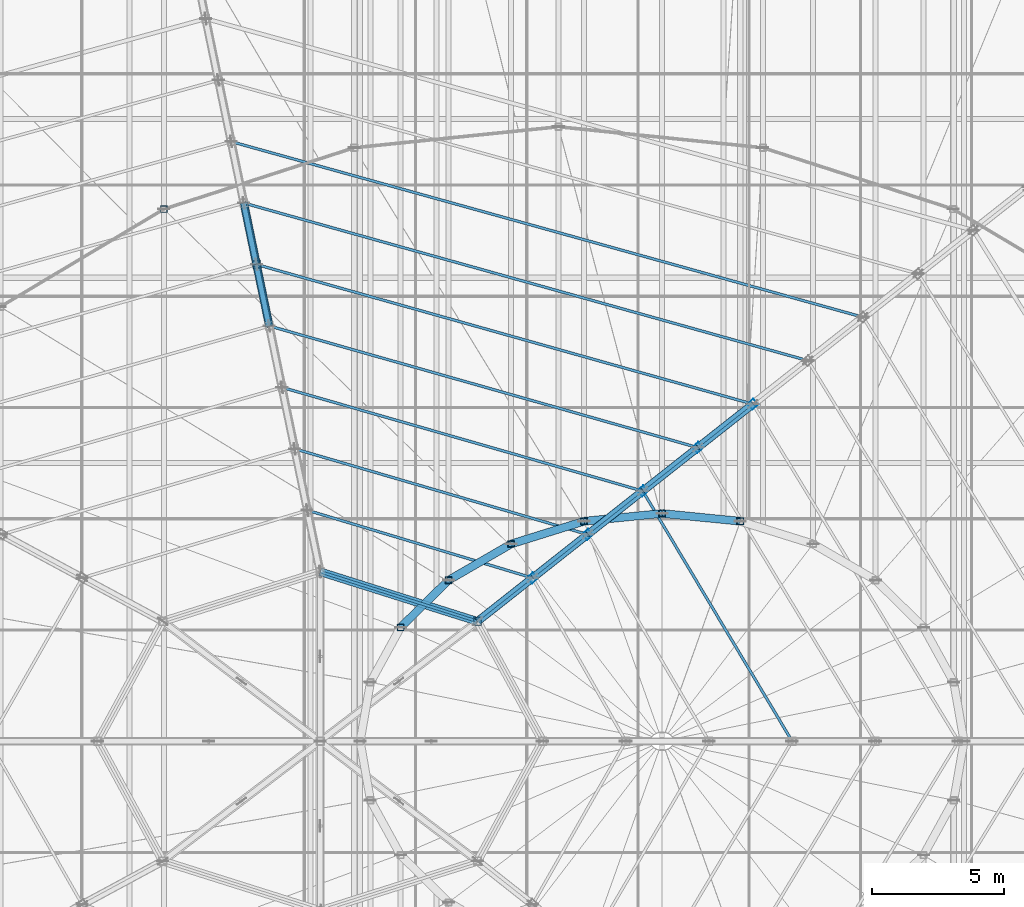
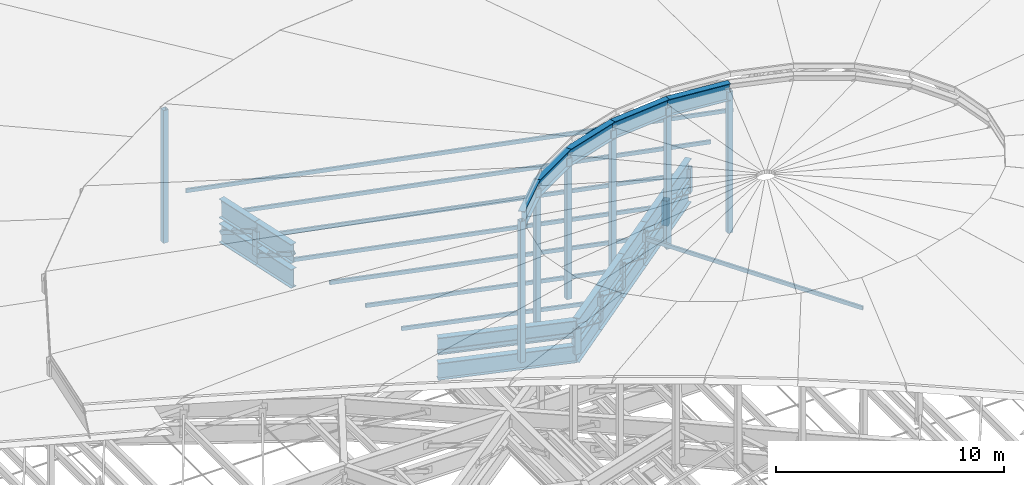
# One storey, part 110 of 184: 30 members, 21 beams.
"""IFC4 building model written with IfcOpenShell, lengths in metres."""

from ifc_helpers import new_model, si_unit, direction, frame, origin, origin_2d, place, context, subcontext, project, spatial, hollow_rectangle, i_section, extrude, material, material_profile, profile_set, type_object, element, save


model = new_model("IFC4")

# Units and contexts
model_context = context("Model", 3, precision=1e-05, world=origin(), true_north=direction((0.0, 1.0)))
body_context = subcontext(model_context, "Body", "Model", "MODEL_VIEW")
ifc_project = project(units=[si_unit("LENGTHUNIT", "METRE"), si_unit("AREAUNIT", "SQUARE_METRE"), si_unit("VOLUMEUNIT", "CUBIC_METRE"), si_unit("PLANEANGLEUNIT", "RADIAN"), si_unit("MASSUNIT", "GRAM", prefix="KILO")], contexts=[model_context])

# Site, building, storey
site_placement = place(None, origin())
site = spatial("IfcSite", under=ifc_project, at=site_placement, CompositionType="ELEMENT")
building_placement = place(site_placement, origin())
building = spatial("IfcBuilding", under=site, at=building_placement, Name="Kalgoora Escarpment Arena", CompositionType="ELEMENT")
storey_placement = place(building_placement, frame((0.0, 0.0, 27.60009765625)))
storey = spatial("IfcBuildingStorey", under=building, at=storey_placement, Name="Roof Level", CompositionType="ELEMENT", Elevation=27.60009765625)

# Beams
ifc_material_1 = material(Name="Structural steel Grade 350 (350 MPa)", Category="steel")
ifc_material_profile_1 = material_profile(ifc_material_1, i_section(OverallWidth=0.300048828125, OverallDepth=0.909912109375, WebThickness=0.011962890625, FlangeThickness=0.028076171875, at=origin_2d()))
ifc_profile_set_1 = profile_set([ifc_material_profile_1], Name="Structural steel Grade 350 (350 MPa)")
beam_type_1 = type_object("IfcBeamType", Name="BM-HUB-RING", PredefinedType="USERDEFINED", material=ifc_profile_set_1)
for number, where, z_axis, x_axis, name in (
    (1, (103.1396484375, 68.525390625, -1.60009765625), (-0.953637150893, 0.300958775312, 0.0), (-0.300958775312, -0.953637150893, 0.0), "Central ROOF TRUSS hub bottom ring 2"),
    (2, (103.1396484375, 68.525390625, -0.25), (-0.953637150893, 0.300958775312, 0.0), (-0.300958775312, -0.953637150893, 0.0), "Central ROOF TRUSS hub top ring 2"),
):
    element("IfcBeam", number, at=place(storey_placement, frame(where, z_axis=z_axis, x_axis=x_axis)), inside=storey, type_object=beam_type_1, Name=name, ObjectType="GIRDER", PredefinedType="USERDEFINED", context=body_context, shape_type="SweptSolid", body=[
        extrude(i_section(OverallWidth=0.300048828125, OverallDepth=0.909912109375, WebThickness=0.011962890625, FlangeThickness=0.028076171875, at=origin_2d()), origin(), (0.0, 0.0, 1.0), 6.228515625),
    ])
beam_1_placement = place(storey_placement, frame((113.060546875, 72.306884765625, 6.64990234375), z_axis=(-0.995098147091, 0.098892252764, 0.0), x_axis=(-0.098892252764, -0.995098147091, 0.0)))
element("IfcBeam", 3, at=beam_1_placement, inside=storey, type_object=beam_type_1, Name="Crown oculus tension RING BEAM chord 06", ObjectType="GIRDER", PredefinedType="USERDEFINED", context=body_context, shape_type="SweptSolid", body=[
    extrude(i_section(OverallWidth=0.300048828125, OverallDepth=0.909912109375, WebThickness=0.011962890625, FlangeThickness=0.028076171875, at=origin_2d()), origin(), (0.0, 0.0, 1.0), 2.965087890625),
])
beam_2_placement = place(storey_placement, frame((110.110107421875, 72.60009765625, 6.64990234375), z_axis=(-0.995098952266, -0.098884150395, 0.0), x_axis=(0.098884150395, -0.995098952266, 0.0)))
element("IfcBeam", 4, at=beam_2_placement, inside=storey, type_object=beam_type_1, Name="Crown oculus tension RING BEAM chord 07", ObjectType="GIRDER", PredefinedType="USERDEFINED", context=body_context, shape_type="SweptSolid", body=[
    extrude(i_section(OverallWidth=0.300048828125, OverallDepth=0.909912109375, WebThickness=0.011962890625, FlangeThickness=0.028076171875, at=origin_2d()), origin(), (0.0, 0.0, 1.0), 2.96533203125),
])
beam_3_placement = place(storey_placement, frame((107.159423828125, 72.306884765625, 6.64990234375), z_axis=(-0.954489025966, -0.298246038215, 0.0), x_axis=(0.298246038215, -0.954489025966, 0.0)))
element("IfcBeam", 5, at=beam_3_placement, inside=storey, type_object=beam_type_1, Name="Crown oculus tension RING BEAM chord 08", ObjectType="GIRDER", PredefinedType="USERDEFINED", context=body_context, shape_type="SweptSolid", body=[
    extrude(i_section(OverallWidth=0.300048828125, OverallDepth=0.909912109375, WebThickness=0.011962890625, FlangeThickness=0.028076171875, at=origin_2d()), origin(), (0.0, 0.0, 1.0), 2.880615234375),
])
beam_4_placement = place(storey_placement, frame((104.409912109375, 71.44775390625, 6.64990234375), z_axis=(-0.865442624847, -0.501008046939, 0.0), x_axis=(0.501008046939, -0.865442624847, 0.0)))
element("IfcBeam", 6, at=beam_4_placement, inside=storey, type_object=beam_type_1, Name="Crown oculus tension RING BEAM chord 09", ObjectType="GIRDER", PredefinedType="USERDEFINED", context=body_context, shape_type="SweptSolid", body=[
    extrude(i_section(OverallWidth=0.300048828125, OverallDepth=0.909912109375, WebThickness=0.011962890625, FlangeThickness=0.028076171875, at=origin_2d()), origin(), (0.0, 0.0, 1.0), 2.727783203125),
])
beam_5_placement = place(storey_placement, frame((102.049072265625, 70.0810546875, 6.64990234375), z_axis=(-0.71313496733, -0.701026760096, 0.0), x_axis=(0.701026760096, -0.71313496733, 0.0)))
element("IfcBeam", 7, at=beam_5_placement, inside=storey, type_object=beam_type_1, Name="Crown oculus tension RING BEAM chord 10", ObjectType="GIRDER", PredefinedType="USERDEFINED", context=body_context, shape_type="SweptSolid", body=[
    extrude(i_section(OverallWidth=0.300048828125, OverallDepth=0.909912109375, WebThickness=0.011962890625, FlangeThickness=0.028076171875, at=origin_2d()), origin(), (0.0, 0.0, 1.0), 2.54052734375),
])
ifc_material_2 = material(Name="Structural steel Grade 350 (350 MPa)", Category="steel")
ifc_material_profile_2 = material_profile(ifc_material_2, i_section(OverallWidth=0.300048828125, OverallDepth=1.010009765625, WebThickness=0.01611328125, FlangeThickness=0.030029296875, at=origin_2d()))
ifc_profile_set_2 = profile_set([ifc_material_profile_2], Name="Structural steel Grade 350 (350 MPa)")
beam_type_2 = type_object("IfcBeamType", Name="BM-TRUSS-CHORD", PredefinedType="USERDEFINED", material=ifc_profile_set_2)
for number, where, z_axis, x_axis, name in (
    (8, (113.5478515625, 76.7353515625, -1.625), (-0.785161943142, -0.619287805317, 0.001826807685), (0.619288838671, -0.785163253277, 0.0), "Radial ROOF TRUSS spine 2 bottom chord 7"),
    (9, (113.5478515625, 76.7353515625, -0.300048828125), (-0.78515774748, -0.619284496035, 0.003744935743), (0.619288838671, -0.785163253277, 0.0), "Radial ROOF TRUSS spine 2 top chord 7"),
    (10, (111.468017578125, 75.094970703125, -1.6201171875), (-0.785161808854, -0.619287699399, 0.001918147741), (0.619288838671, -0.785163253277, 0.0), "Radial ROOF TRUSS spine 2 bottom chord 8"),
    (11, (111.468017578125, 75.094970703125, -0.2900390625), (-0.78515774748, -0.619284496035, 0.003744935743), (0.619288838671, -0.785163253277, 0.0), "Radial ROOF TRUSS spine 2 top chord 8"),
):
    element("IfcBeam", number, at=place(storey_placement, frame(where, z_axis=z_axis, x_axis=x_axis)), inside=storey, type_object=beam_type_2, Name=name, ObjectType="GIRDER", PredefinedType="USERDEFINED", context=body_context, shape_type="SweptSolid", body=[
        extrude(i_section(OverallWidth=0.300048828125, OverallDepth=1.010009765625, WebThickness=0.01611328125, FlangeThickness=0.030029296875, at=origin_2d()), origin(), (0.0, 0.0, 1.0), 2.6728515625),
    ])
for number, where, z_axis, x_axis, name in (
    (12, (109.38818359375, 73.454345703125, -1.614990234375), (-0.785126908443, -0.619332220971, 0.001826938705), (0.619333254548, -0.785128218708, 0.0), "Radial ROOF TRUSS spine 2 bottom chord 9"),
    (13, (109.38818359375, 73.454345703125, -0.280029296875), (-0.785122712366, -0.619328910976, 0.003745204329), (0.619333254548, -0.785128218708, 0.0), "Radial ROOF TRUSS spine 2 top chord 9"),
):
    element("IfcBeam", number, at=place(storey_placement, frame(where, z_axis=z_axis, x_axis=x_axis)), inside=storey, type_object=beam_type_2, Name=name, ObjectType="GIRDER", PredefinedType="USERDEFINED", context=body_context, shape_type="SweptSolid", body=[
        extrude(i_section(OverallWidth=0.300048828125, OverallDepth=1.010009765625, WebThickness=0.01611328125, FlangeThickness=0.030029296875, at=origin_2d()), origin(), (0.0, 0.0, 1.0), 2.672607421875),
    ])
for number, where, z_axis, x_axis, name in (
    (14, (107.30859375, 71.81396484375, -1.610107421875), (-0.785161808854, -0.619287699399, 0.001918147741), (0.619288838671, -0.785163253277, 0.0), "Radial ROOF TRUSS spine 2 bottom chord 10"),
    (15, (107.30859375, 71.81396484375, -0.27001953125), (-0.78515774748, -0.619284496035, 0.003744935743), (0.619288838671, -0.785163253277, 0.0), "Radial ROOF TRUSS spine 2 top chord 10"),
):
    element("IfcBeam", number, at=place(storey_placement, frame(where, z_axis=z_axis, x_axis=x_axis)), inside=storey, type_object=beam_type_2, Name=name, ObjectType="GIRDER", PredefinedType="USERDEFINED", context=body_context, shape_type="SweptSolid", body=[
        extrude(i_section(OverallWidth=0.300048828125, OverallDepth=1.010009765625, WebThickness=0.01611328125, FlangeThickness=0.030029296875, at=origin_2d()), origin(), (0.0, 0.0, 1.0), 2.6728515625),
    ])
for number, where, z_axis, x_axis, name in (
    (16, (105.228759765625, 70.17333984375, -1.60498046875), (-0.785126908443, -0.619332220971, 0.001826938705), (0.619333254548, -0.785128218708, 0.0), "Radial ROOF TRUSS spine 2 bottom chord 11"),
    (17, (105.228759765625, 70.17333984375, -0.260009765625), (-0.785122712366, -0.619328910976, 0.003745204329), (0.619333254548, -0.785128218708, 0.0), "Radial ROOF TRUSS spine 2 top chord 11"),
):
    element("IfcBeam", number, at=place(storey_placement, frame(where, z_axis=z_axis, x_axis=x_axis)), inside=storey, type_object=beam_type_2, Name=name, ObjectType="GIRDER", PredefinedType="USERDEFINED", context=body_context, shape_type="SweptSolid", body=[
        extrude(i_section(OverallWidth=0.300048828125, OverallDepth=1.010009765625, WebThickness=0.01611328125, FlangeThickness=0.030029296875, at=origin_2d()), origin(), (0.0, 0.0, 1.0), 2.672607421875),
    ])
for number, where, z_axis, x_axis, name in (
    (18, (94.317626953125, 84.331787109375, -1.630126953125), (0.202605139089, -0.979258172266, 0.002142350413), (0.979260419507, 0.202605604036, 0.0), "Radial ROOF TRUSS spine 3 bottom chord 6"),
    (19, (94.317626953125, 84.331787109375, -0.31005859375), (0.202603831774, -0.979251853575, 0.004182657151), (0.979260419507, 0.202605604036, 0.0), "Radial ROOF TRUSS spine 3 top chord 6"),
    (20, (94.797607421875, 82.01171875, -1.625), (0.202605182316, -0.979258381192, 0.002040334162), (0.979260419507, 0.202605604036, 0.0), "Radial ROOF TRUSS spine 3 bottom chord 7"),
    (21, (94.797607421875, 82.01171875, -0.300048828125), (0.202603831774, -0.979251853575, 0.004182657151), (0.979260419507, 0.202605604036, 0.0), "Radial ROOF TRUSS spine 3 top chord 7"),
):
    element("IfcBeam", number, at=place(storey_placement, frame(where, z_axis=z_axis, x_axis=x_axis)), inside=storey, type_object=beam_type_2, Name=name, ObjectType="GIRDER", PredefinedType="USERDEFINED", context=body_context, shape_type="SweptSolid", body=[
        extrude(i_section(OverallWidth=0.300048828125, OverallDepth=1.010009765625, WebThickness=0.01611328125, FlangeThickness=0.030029296875, at=origin_2d()), origin(), (0.0, 0.0, 1.0), 2.39306640625),
    ])

# Members
ifc_material_3 = material(Name="Structural steel C450 (450 MPa)", Category="steel")
ifc_material_profile_3 = material_profile(ifc_material_3, hollow_rectangle(XDim=0.25, YDim=0.25, WallThickness=0.012451171875, at=origin_2d()))
ifc_profile_set_3 = profile_set([ifc_material_profile_3], Name="Structural steel C450 (450 MPa)")
member_type_1 = type_object("IfcMemberType", Name="MEM-PETAL-POST", PredefinedType="POST", material=ifc_profile_set_3)
member_1_placement = place(storey_placement, frame((91.300048828125, 84.091796875, -0.960205078125), z_axis=(0.0, 0.0, 1.0), x_axis=(1.0, 0.0, 0.0)))
element("IfcMember", 22, at=member_1_placement, inside=storey, type_object=member_type_1, Name="Petal RP4 vertical support post S09", PredefinedType="POST", context=body_context, shape_type="SweptSolid", body=[
    extrude(hollow_rectangle(XDim=0.25, YDim=0.25, WallThickness=0.012451171875, at=origin_2d()), origin(), (0.0, 0.0, 1.0), 7.105224609375),
])
for number, where, z_axis, x_axis, name in (
    (23, (113.060546875, 72.306884765625, -0.900146484375), (0.0, 0.0, 1.0), (1.0, 0.0, 0.0), "Crown dome vertical post 06"),
    (24, (110.110107421875, 72.60009765625, -0.900146484375), (0.0, 0.0, 1.0), (1.0, 0.0, 0.0), "Crown dome vertical post 07"),
    (25, (107.159423828125, 72.306884765625, -0.900146484375), (0.0, 0.0, 1.0), (1.0, 0.0, 0.0), "Crown dome vertical post 08"),
    (26, (104.409912109375, 71.44775390625, -0.900146484375), (0.0, 0.0, 1.0), (1.0, 0.0, 0.0), "Crown dome vertical post 09"),
    (27, (102.049072265625, 70.0810546875, -0.900146484375), (0.0, 0.0, 1.0), (1.0, 0.0, 0.0), "Crown dome vertical post 10"),
    (28, (100.2373046875, 68.300048828125, -0.900146484375), (0.0, 0.0, 1.0), (1.0, 0.0, 0.0), "Crown dome vertical post 11"),
):
    element("IfcMember", number, at=place(storey_placement, frame(where, z_axis=z_axis, x_axis=x_axis)), inside=storey, type_object=member_type_1, Name=name, PredefinedType="POST", context=body_context, shape_type="SweptSolid", body=[
        extrude(hollow_rectangle(XDim=0.25, YDim=0.25, WallThickness=0.012451171875, at=origin_2d()), origin(), (0.0, 0.0, 1.0), 7.550048828125),
    ])
ifc_material_4 = material(Name="Structural steel C350 (350 MPa)", Category="steel")
ifc_material_profile_4 = material_profile(ifc_material_4, hollow_rectangle(XDim=0.10009765625, YDim=0.199951171875, WallThickness=0.009033203125, at=origin_2d()))
ifc_profile_set_4 = profile_set([ifc_material_profile_4], Name="Structural steel C350 (350 MPa)")
member_type_2 = type_object("IfcMemberType", Name="MEM-PURLIN-RHS", PredefinedType="PURLIN", material=ifc_profile_set_4)
member_2_placement = place(storey_placement, frame((117.69775390625, 80.0087890625, -0.670166015625), z_axis=(-0.963476510969, 0.267792854294, 0.0), x_axis=(-0.267792854294, -0.963476510969, 0.0)))
element("IfcMember", 29, at=member_2_placement, inside=storey, type_object=member_type_2, Name="Roof circumferential purlin ring 4 sector 2", PredefinedType="PURLIN", context=body_context, shape_type="SweptSolid", body=[
    extrude(hollow_rectangle(XDim=0.10009765625, YDim=0.199951171875, WallThickness=0.009033203125, at=origin_2d()), origin(), (0.0, 0.0, 1.0), 24.761962890625),
])
member_3_placement = place(storey_placement, frame((115.6181640625, 78.368408203125, -0.66015625), z_axis=(-0.963102515749, 0.269134806664, 0.0), x_axis=(-0.269134806664, -0.963102515749, 0.0)))
element("IfcMember", 30, at=member_3_placement, inside=storey, type_object=member_type_2, Name="Roof circumferential purlin ring 5 sector 2", PredefinedType="PURLIN", context=body_context, shape_type="SweptSolid", body=[
    extrude(hollow_rectangle(XDim=0.10009765625, YDim=0.199951171875, WallThickness=0.009033203125, at=origin_2d()), origin(), (0.0, 0.0, 1.0), 22.114013671875),
])
member_4_placement = place(storey_placement, frame((113.538330078125, 76.727783203125, -0.650146484375), z_axis=(-0.962623149743, 0.270844367817, 0.0), x_axis=(-0.270844367817, -0.962623149743, 0.0)))
element("IfcMember", 31, at=member_4_placement, inside=storey, type_object=member_type_2, Name="Roof circumferential purlin ring 6 sector 2", PredefinedType="PURLIN", context=body_context, shape_type="SweptSolid", body=[
    extrude(hollow_rectangle(XDim=0.10009765625, YDim=0.199951171875, WallThickness=0.009033203125, at=origin_2d()), origin(), (0.0, 0.0, 1.0), 19.4658203125),
])
member_5_placement = place(storey_placement, frame((111.45849609375, 75.08740234375, -0.64013671875), z_axis=(-0.961992015011, 0.27307757699, 0.0), x_axis=(-0.27307757699, -0.961992015011, 0.0)))
element("IfcMember", 32, at=member_5_placement, inside=storey, type_object=member_type_2, Name="Roof circumferential purlin ring 7 sector 2", PredefinedType="PURLIN", context=body_context, shape_type="SweptSolid", body=[
    extrude(hollow_rectangle(XDim=0.10009765625, YDim=0.199951171875, WallThickness=0.009033203125, at=origin_2d()), origin(), (0.0, 0.0, 1.0), 16.817626953125),
])
member_6_placement = place(storey_placement, frame((115.02001953125, 64.0, -0.630126953125), z_axis=(-0.51268364842, 0.85857758918, 0.0), x_axis=(-0.85857758918, -0.51268364842, 0.0)))
element("IfcMember", 33, at=member_6_placement, inside=storey, type_object=member_type_2, Name="Roof circumferential purlin ring 8 sector 1", PredefinedType="PURLIN", context=body_context, shape_type="SweptSolid", body=[
    extrude(hollow_rectangle(XDim=0.10009765625, YDim=0.199951171875, WallThickness=0.009033203125, at=origin_2d()), origin(), (0.0, 0.0, 1.0), 11.003173828125),
])
member_7_placement = place(storey_placement, frame((109.37890625, 73.447021484375, -0.630126953125), z_axis=(-0.961113271866, 0.27615444708, 0.0), x_axis=(-0.27615444708, -0.961113271866, 0.0)))
element("IfcMember", 34, at=member_7_placement, inside=storey, type_object=member_type_2, Name="Roof circumferential purlin ring 8 sector 2", PredefinedType="PURLIN", context=body_context, shape_type="SweptSolid", body=[
    extrude(hollow_rectangle(XDim=0.10009765625, YDim=0.199951171875, WallThickness=0.009033203125, at=origin_2d()), origin(), (0.0, 0.0, 1.0), 14.169921875),
])
member_8_placement = place(storey_placement, frame((107.29931640625, 71.806396484375, -0.6201171875), z_axis=(-0.959813023473, 0.280640267907, 0.0), x_axis=(-0.280640267907, -0.959813023473, 0.0)))
element("IfcMember", 35, at=member_8_placement, inside=storey, type_object=member_type_2, Name="Roof circumferential purlin ring 9 sector 2", PredefinedType="PURLIN", context=body_context, shape_type="SweptSolid", body=[
    extrude(hollow_rectangle(XDim=0.10009765625, YDim=0.199951171875, WallThickness=0.009033203125, at=origin_2d()), origin(), (0.0, 0.0, 1.0), 11.5224609375),
])
member_9_placement = place(storey_placement, frame((105.219482421875, 70.166015625, -0.610107421875), z_axis=(-0.957698993712, 0.287771849636, 0.0), x_axis=(-0.287771849636, -0.957698993712, 0.0)))
element("IfcMember", 36, at=member_9_placement, inside=storey, type_object=member_type_2, Name="Roof circumferential purlin ring 10 sector 2", PredefinedType="PURLIN", context=body_context, shape_type="SweptSolid", body=[
    extrude(hollow_rectangle(XDim=0.10009765625, YDim=0.199951171875, WallThickness=0.009033203125, at=origin_2d()), origin(), (0.0, 0.0, 1.0), 8.875),
])
member_10_placement = place(storey_placement, frame((103.1396484375, 68.525390625, -0.60009765625), z_axis=(-0.953637150893, 0.300958775312, 0.0), x_axis=(-0.300958775312, -0.953637150893, 0.0)))
element("IfcMember", 37, at=member_10_placement, inside=storey, type_object=member_type_2, Name="Roof circumferential purlin ring 11 sector 2", PredefinedType="PURLIN", context=body_context, shape_type="SweptSolid", body=[
    extrude(hollow_rectangle(XDim=0.10009765625, YDim=0.199951171875, WallThickness=0.009033203125, at=origin_2d()), origin(), (0.0, 0.0, 1.0), 6.228515625),
])
ifc_material_5 = material(Name="Structural steel C350 (350 MPa)", Category="steel")
ifc_material_profile_5 = material_profile(ifc_material_5, hollow_rectangle(XDim=0.199951171875, YDim=0.199951171875, WallThickness=0.009033203125, at=origin_2d()))
ifc_profile_set_5 = profile_set([ifc_material_profile_5], Name="Structural steel C350 (350 MPa)")
member_type_3 = type_object("IfcMemberType", Name="MEM-TRUSS-DIAG", PredefinedType="BRACE", material=ifc_profile_set_5)
member_11_placement = place(storey_placement, frame((113.538330078125, 76.727783203125, -1.625), z_axis=(-0.701164503492, -0.5530137691, 0.450049008697), x_axis=(-0.699492417174, 0.411251820483, -0.584450424302)))
element("IfcMember", 38, at=member_11_placement, inside=storey, type_object=member_type_3, Name="Radial ROOF TRUSS spine 2 web diagonal 7", PredefinedType="BRACE", context=body_context, shape_type="SweptSolid", body=[
    extrude(hollow_rectangle(XDim=0.199951171875, YDim=0.199951171875, WallThickness=0.009033203125, at=origin_2d()), origin(), (0.0, 0.0, 1.0), 2.96630859375),
])
member_12_placement = place(storey_placement, frame((111.45849609375, 75.08740234375, -1.6201171875), z_axis=(-0.700576799361, -0.552615110931, 0.451451755305), x_axis=(-0.700236700393, 0.410643317243, -0.583986840115)))
element("IfcMember", 39, at=member_12_placement, inside=storey, type_object=member_type_3, Name="Radial ROOF TRUSS spine 2 web diagonal 8", PredefinedType="BRACE", context=body_context, shape_type="SweptSolid", body=[
    extrude(hollow_rectangle(XDim=0.199951171875, YDim=0.199951171875, WallThickness=0.009033203125, at=origin_2d()), origin(), (0.0, 0.0, 1.0), 2.968505859375),
])
member_13_placement = place(storey_placement, frame((109.37890625, 73.447021484375, -1.614990234375), z_axis=(-0.700024407729, -0.552261566088, 0.4527394297), x_axis=(-0.700928056331, 0.410070662677, -0.583559689714)))
element("IfcMember", 40, at=member_13_placement, inside=storey, type_object=member_type_3, Name="Radial ROOF TRUSS spine 2 web diagonal 9", PredefinedType="BRACE", context=body_context, shape_type="SweptSolid", body=[
    extrude(hollow_rectangle(XDim=0.199951171875, YDim=0.199951171875, WallThickness=0.009033203125, at=origin_2d()), origin(), (0.0, 0.0, 1.0), 2.970703125),
])
member_14_placement = place(storey_placement, frame((107.29931640625, 71.806396484375, -1.610107421875), z_axis=(-0.699550678116, -0.551740932769, 0.454104384315), x_axis=(-0.701576389828, 0.409608175423, -0.583105232238)))
element("IfcMember", 41, at=member_14_placement, inside=storey, type_object=member_type_3, Name="Radial ROOF TRUSS spine 2 web diagonal 10", PredefinedType="BRACE", context=body_context, shape_type="SweptSolid", body=[
    extrude(hollow_rectangle(XDim=0.199951171875, YDim=0.199951171875, WallThickness=0.009033203125, at=origin_2d()), origin(), (0.0, 0.0, 1.0), 2.97314453125),
])
member_15_placement = place(storey_placement, frame((105.219482421875, 70.166015625, -1.60498046875), z_axis=(-0.698996978293, -0.551386277043, 0.455385987736), x_axis=(-0.702264580271, 0.409037923863, -0.582676956931)))
element("IfcMember", 42, at=member_15_placement, inside=storey, type_object=member_type_3, Name="Radial ROOF TRUSS spine 2 web diagonal 11", PredefinedType="BRACE", context=body_context, shape_type="SweptSolid", body=[
    extrude(hollow_rectangle(XDim=0.199951171875, YDim=0.199951171875, WallThickness=0.009033203125, at=origin_2d()), origin(), (0.0, 0.0, 1.0), 2.975341796875),
])
member_16_placement = place(storey_placement, frame((94.320068359375, 84.320068359375, -1.630126953125), z_axis=(0.176656848237, -0.853901337127, 0.489535355642), x_axis=(0.236666194374, -0.445915574129, -0.863219794253)))
element("IfcMember", 43, at=member_16_placement, inside=storey, type_object=member_type_3, Name="Radial ROOF TRUSS spine 3 web diagonal 6", PredefinedType="BRACE", context=body_context, shape_type="SweptSolid", body=[
    extrude(hollow_rectangle(XDim=0.199951171875, YDim=0.199951171875, WallThickness=0.009033203125, at=origin_2d()), origin(), (0.0, 0.0, 1.0), 2.717041015625),
])
member_17_placement = place(storey_placement, frame((94.800048828125, 82.0, -1.625), z_axis=(0.176501354021, -0.853149729026, 0.490900001927), x_axis=(0.236939882202, -0.447238491435, -0.862459984)))
element("IfcMember", 44, at=member_17_placement, inside=storey, type_object=member_type_3, Name="Radial ROOF TRUSS spine 3 web diagonal 7", PredefinedType="BRACE", context=body_context, shape_type="SweptSolid", body=[
    extrude(hollow_rectangle(XDim=0.199951171875, YDim=0.199951171875, WallThickness=0.009033203125, at=origin_2d()), origin(), (0.0, 0.0, 1.0), 2.719482421875),
])
ifc_material_6 = material(Name="Structural steel C450 (450 MPa)", Category="steel")
ifc_material_profile_6 = material_profile(ifc_material_6, hollow_rectangle(XDim=0.300048828125, YDim=0.300048828125, WallThickness=0.012451171875, at=origin_2d()))
ifc_profile_set_6 = profile_set([ifc_material_profile_6], Name="Structural steel C450 (450 MPa)")
member_type_4 = type_object("IfcMemberType", Name="MEM-TRUSS-POST", PredefinedType="POST", material=ifc_profile_set_6)
member_18_placement = place(storey_placement, frame((103.1396484375, 68.525390625, -1.60009765625), z_axis=(0.0, 0.0, 1.0), x_axis=(1.0, 0.0, 0.0)))
element("IfcMember", 45, at=member_18_placement, inside=storey, type_object=member_type_4, Name="Central ROOF TRUSS hub post 2", PredefinedType="POST", context=body_context, shape_type="SweptSolid", body=[
    extrude(hollow_rectangle(XDim=0.300048828125, YDim=0.300048828125, WallThickness=0.012451171875, at=origin_2d()), origin(), (0.0, 0.0, 1.0), 1.35009765625),
])
member_19_placement = place(storey_placement, frame((113.538330078125, 76.727783203125, -1.625), z_axis=(0.0, 0.0, 1.0), x_axis=(-0.756081970773, -0.6544769312, 0.0)))
element("IfcMember", 46, at=member_19_placement, inside=storey, type_object=member_type_4, Name="Radial ROOF TRUSS spine 2 post 6", PredefinedType="POST", context=body_context, shape_type="SweptSolid", body=[
    extrude(hollow_rectangle(XDim=0.300048828125, YDim=0.300048828125, WallThickness=0.012451171875, at=origin_2d()), origin(), (0.0, 0.0, 1.0), 1.324951171875),
])
member_20_placement = place(storey_placement, frame((111.45849609375, 75.08740234375, -1.6201171875), z_axis=(0.0, 0.0, 1.0), x_axis=(-0.756081970773, -0.6544769312, 0.0)))
element("IfcMember", 47, at=member_20_placement, inside=storey, type_object=member_type_4, Name="Radial ROOF TRUSS spine 2 post 7", PredefinedType="POST", context=body_context, shape_type="SweptSolid", body=[
    extrude(hollow_rectangle(XDim=0.300048828125, YDim=0.300048828125, WallThickness=0.012451171875, at=origin_2d()), origin(), (0.0, 0.0, 1.0), 1.330078125),
])
member_21_placement = place(storey_placement, frame((109.37890625, 73.447021484375, -1.614990234375), z_axis=(0.0, 0.0, 1.0), x_axis=(-0.756081970773, -0.6544769312, 0.0)))
element("IfcMember", 48, at=member_21_placement, inside=storey, type_object=member_type_4, Name="Radial ROOF TRUSS spine 2 post 8", PredefinedType="POST", context=body_context, shape_type="SweptSolid", body=[
    extrude(hollow_rectangle(XDim=0.300048828125, YDim=0.300048828125, WallThickness=0.012451171875, at=origin_2d()), origin(), (0.0, 0.0, 1.0), 1.3349609375),
])
member_22_placement = place(storey_placement, frame((107.29931640625, 71.806396484375, -1.610107421875), z_axis=(0.0, 0.0, 1.0), x_axis=(-0.756081970773, -0.6544769312, 0.0)))
element("IfcMember", 49, at=member_22_placement, inside=storey, type_object=member_type_4, Name="Radial ROOF TRUSS spine 2 post 9", PredefinedType="POST", context=body_context, shape_type="SweptSolid", body=[
    extrude(hollow_rectangle(XDim=0.300048828125, YDim=0.300048828125, WallThickness=0.012451171875, at=origin_2d()), origin(), (0.0, 0.0, 1.0), 1.340087890625),
])
member_23_placement = place(storey_placement, frame((105.219482421875, 70.166015625, -1.60498046875), z_axis=(0.0, 0.0, 1.0), x_axis=(-0.756081970773, -0.6544769312, 0.0)))
element("IfcMember", 50, at=member_23_placement, inside=storey, type_object=member_type_4, Name="Radial ROOF TRUSS spine 2 post 10", PredefinedType="POST", context=body_context, shape_type="SweptSolid", body=[
    extrude(hollow_rectangle(XDim=0.300048828125, YDim=0.300048828125, WallThickness=0.012451171875, at=origin_2d()), origin(), (0.0, 0.0, 1.0), 1.344970703125),
])
member_24_placement = place(storey_placement, frame((94.800048828125, 82.0, -1.625), z_axis=(0.0, 0.0, 1.0), x_axis=(0.141419587774, -0.989949746297, 0.0)))
element("IfcMember", 51, at=member_24_placement, inside=storey, type_object=member_type_4, Name="Radial ROOF TRUSS spine 3 post 6", PredefinedType="POST", context=body_context, shape_type="SweptSolid", body=[
    extrude(hollow_rectangle(XDim=0.300048828125, YDim=0.300048828125, WallThickness=0.012451171875, at=origin_2d()), origin(), (0.0, 0.0, 1.0), 1.324951171875),
])

save(model, "model.ifc")
